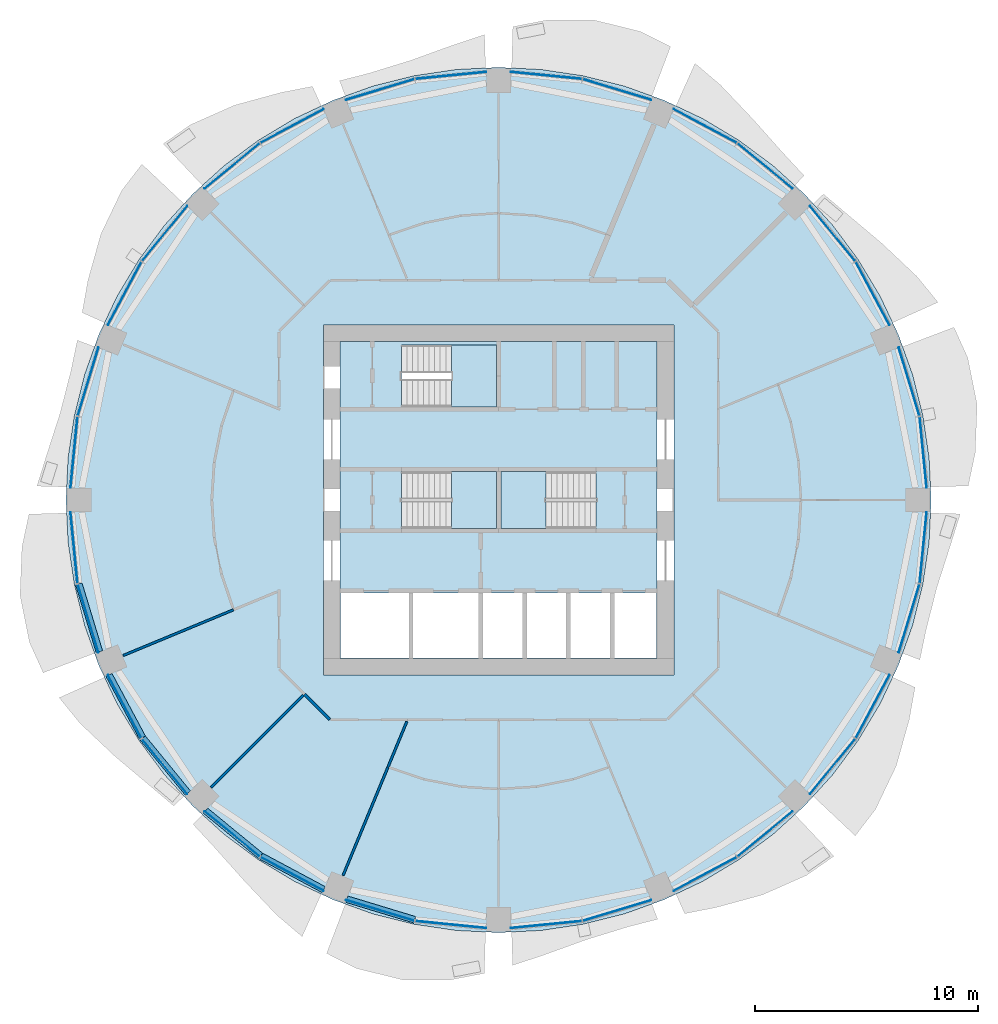
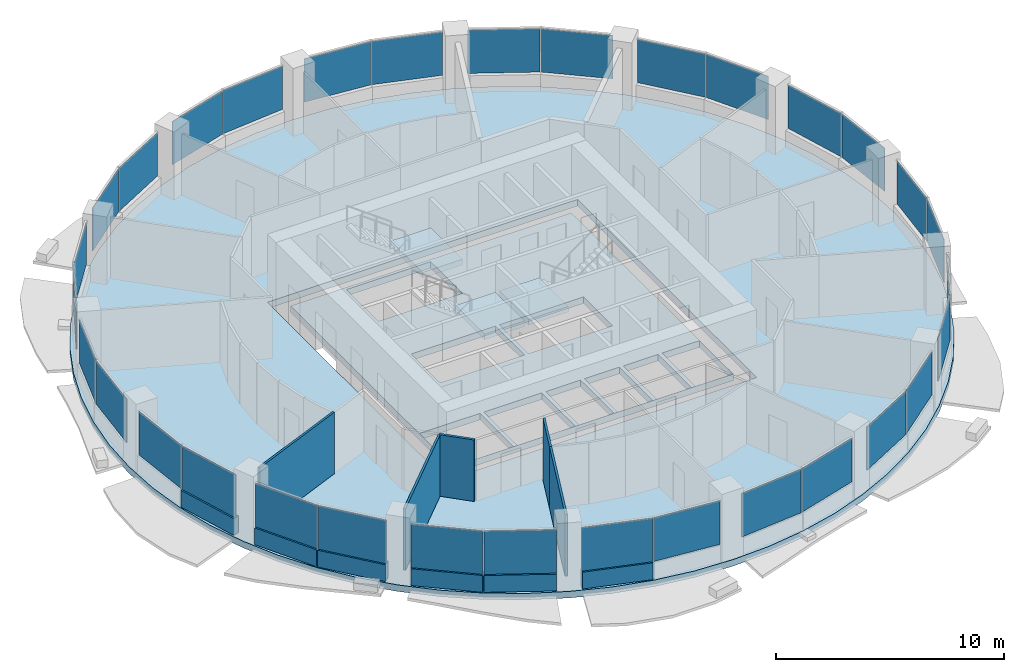
# One storey, part 7 of 15: 32 plates, 11 walls, 5 slabs, 19 elements without a shape of their own.
"""IFC4 building model written with IfcOpenShell, lengths in metres."""

from ifc_helpers import new_model, si_unit, direction, frame, frame_2d, origin, origin_2d, place, context, subcontext, project, spatial, polyline, rectangle, outline, extrude, material, layer, layer_set, type_object, element, aggregate, save


model = new_model("IFC4")

# Units and contexts
model_context = context("Model", 3, precision=1e-05, world=origin(), true_north=direction((0.0, 1.0)))
body_context = subcontext(model_context, "Body", "Model", "MODEL_VIEW")
ifc_project = project(units=[si_unit("LENGTHUNIT", "METRE"), si_unit("AREAUNIT", "SQUARE_METRE"), si_unit("VOLUMEUNIT", "CUBIC_METRE"), si_unit("PLANEANGLEUNIT", "RADIAN"), si_unit("MASSUNIT", "GRAM", prefix="KILO")], contexts=[model_context])

# Site, building, storey
site_placement = place(None, origin())
site = spatial("IfcSite", under=ifc_project, at=site_placement, CompositionType="ELEMENT")
building_placement = place(site_placement, origin())
building = spatial("IfcBuilding", under=site, at=building_placement, Name="Polderwave Tower", CompositionType="ELEMENT")
storey_placement = place(building_placement, frame((0.0, 0.0, 72.75)))
storey = spatial("IfcBuildingStorey", under=building, at=storey_placement, Name="L18", CompositionType="ELEMENT", Elevation=72.75)

# Slab
ifc_material_1 = material(Name="Concrete C40/50", Category="concrete")
ifc_layer_1 = layer(ifc_material_1, 0.35009765625)
ifc_layer_set_1 = layer_set([ifc_layer_1], Name="Core floor slab 350")
slab_type_1 = type_object("IfcSlabType", Name="Core floor slab 350", PredefinedType="FLOOR", material=ifc_layer_set_1)
slab_1_placement = place(storey_placement, frame((0.0, 0.0, -0.35009765625)))
element("IfcSlab", 1, at=slab_1_placement, inside=storey, type_object=slab_type_1, Name="L18 core floor", PredefinedType="FLOOR", context=body_context, shape_type="SweptSolid", body=[
    extrude(outline(polyline([(-7.1240234375, -7.1240234375), (7.1240234375, -7.1240234375), (7.1240234375, 7.1240234375), (-7.1240234375, 7.1240234375), (-7.1240234375, -7.1240234375)]), holes=[polyline([(-7.10400390625, -7.10400390625), (-4.037109375, -7.10400390625), (-4.037109375, -4.174072265625), (-7.10400390625, -4.174072265625), (-7.10400390625, -7.10400390625)]), polyline([(-3.8369140625, -7.10400390625), (-0.89990234375, -7.10400390625), (-0.89990234375, -4.174072265625), (-3.8369140625, -4.174072265625), (-3.8369140625, -7.10400390625)]), polyline([(-0.699951171875, -7.10400390625), (1.068603515625, -7.10400390625), (1.068603515625, -4.174072265625), (-0.699951171875, -4.174072265625), (-0.699951171875, -7.10400390625)]), polyline([(1.2685546875, -7.10400390625), (3.037109375, -7.10400390625), (3.037109375, -4.174072265625), (1.2685546875, -4.174072265625), (1.2685546875, -7.10400390625)]), polyline([(3.237060546875, -7.10400390625), (5.005615234375, -7.10400390625), (5.005615234375, -4.174072265625), (3.237060546875, -4.174072265625), (3.237060546875, -7.10400390625)]), polyline([(5.20556640625, -7.10400390625), (7.10400390625, -7.10400390625), (7.10400390625, -4.174072265625), (5.20556640625, -4.174072265625), (5.20556640625, -7.10400390625)]), polyline([(-4.37353515625, -1.2744140625), (-0.1005859375, -1.2744140625), (-0.1005859375, 1.2744140625), (-4.37353515625, 1.2744140625), (-4.37353515625, -1.2744140625)]), polyline([(0.1005859375, -1.2744140625), (4.37353515625, -1.2744140625), (4.37353515625, 1.2744140625), (0.1005859375, 1.2744140625), (0.1005859375, -1.2744140625)]), polyline([(-4.37353515625, 4.174560546875), (-0.1005859375, 4.174560546875), (-0.1005859375, 6.973388671875), (-4.37353515625, 6.973388671875), (-4.37353515625, 4.174560546875)])]), origin(), (0.0, 0.0, 1.0), 0.35009765625),
])

# Curtain wall, plates
ifc_material_2 = material(Name="Aluminium 6063-T6 and glass", Category="aluminium")
curtain_wall_type = type_object("IfcCurtainWallType", Name="Growing floor ribbon glazing wall", PredefinedType="NOTDEFINED", material=ifc_material_2)
curtain_wall_1_placement = place(storey_placement, origin())
curtain_wall_1 = element("IfcCurtainWall", 2, at=curtain_wall_1_placement, inside=storey, type_object=curtain_wall_type, Name="CW2 L18 00", PredefinedType="NOTDEFINED")
ifc_material_3 = material(Name="Glass, low-e laminated double glazing", Category="glass")
ifc_layer_2 = layer(ifc_material_3, 0.028076171875)
ifc_layer_set_2 = layer_set([ifc_layer_2], Name="Growing floor ribbon glazing glass panel 28 mm")
plate_type = type_object("IfcPlateType", Name="Growing floor ribbon glazing glass panel 28 mm", PredefinedType="CURTAIN_PANEL", material=ifc_layer_set_2)
plate_1_placement = place(storey_placement, frame((19.0791015625, 2.1416015625, 0.89990234375), z_axis=(0.0, 0.0, 1.0), x_axis=(-0.098185620651, 0.995168118409, 0.0)))
plate_1 = element("IfcPlate", 3, at=plate_1_placement, type_object=plate_type, Name="CW2 panel 1", PredefinedType="CURTAIN_PANEL", context=body_context, shape_type="SweptSolid", body=[
    extrude(rectangle(XDim=3.198486328125, YDim=0.028076171875, at=origin_2d()), origin(), (0.0, 0.0, 1.0), 2.320068359375),
])
plate_2_placement = place(storey_placement, frame((18.446044921875, 5.322509765625, 0.89990234375), z_axis=(0.0, 0.0, 1.0), x_axis=(-0.290187805562, 0.956969716085, 0.0)))
plate_2 = element("IfcPlate", 4, at=plate_2_placement, type_object=plate_type, Name="CW2 panel 2", PredefinedType="CURTAIN_PANEL", context=body_context, shape_type="SweptSolid", body=[
    extrude(rectangle(XDim=3.198974609375, YDim=0.028076171875, at=origin_2d()), origin(), (0.0, 0.0, 1.0), 2.320068359375),
])
aggregate(curtain_wall_1, [plate_1, plate_2])

curtain_wall_2_placement = place(storey_placement, origin())
curtain_wall_2 = element("IfcCurtainWall", 5, at=curtain_wall_2_placement, inside=storey, type_object=curtain_wall_type, Name="CW2 L18 01", PredefinedType="NOTDEFINED")
plate_3_placement = place(storey_placement, frame((16.80712890625, 9.27978515625, 0.89990234375), z_axis=(0.0, 0.0, 1.0), x_axis=(-0.471327469438, 0.881958285041, 0.0)))
plate_3 = element("IfcPlate", 6, at=plate_3_placement, type_object=plate_type, Name="CW2 panel 1", PredefinedType="CURTAIN_PANEL", context=body_context, shape_type="SweptSolid", body=[
    extrude(rectangle(XDim=3.19921875, YDim=0.028076171875, at=origin_2d()), origin(), (0.0, 0.0, 1.0), 2.320068359375),
])
plate_4_placement = place(storey_placement, frame((15.005615234375, 11.9765625, 0.89990234375), z_axis=(0.0, 0.0, 1.0), x_axis=(-0.634316379032, 0.773073561371, 0.0)))
plate_4 = element("IfcPlate", 7, at=plate_4_placement, type_object=plate_type, Name="CW2 panel 2", PredefinedType="CURTAIN_PANEL", context=body_context, shape_type="SweptSolid", body=[
    extrude(rectangle(XDim=3.19873046875, YDim=0.028076171875, at=origin_2d()), origin(), (0.0, 0.0, 1.0), 2.320068359375),
])
aggregate(curtain_wall_2, [plate_3, plate_4])

curtain_wall_3_placement = place(storey_placement, origin())
curtain_wall_3 = element("IfcCurtainWall", 8, at=curtain_wall_3_placement, inside=storey, type_object=curtain_wall_type, Name="CW2 L18 02", PredefinedType="NOTDEFINED")
plate_5_placement = place(storey_placement, frame((11.9765625, 15.005615234375, 0.89990234375), z_axis=(0.0, 0.0, 1.0), x_axis=(-0.773073561371, 0.634316379032, 0.0)))
plate_5 = element("IfcPlate", 9, at=plate_5_placement, type_object=plate_type, Name="CW2 panel 1", PredefinedType="CURTAIN_PANEL", context=body_context, shape_type="SweptSolid", body=[
    extrude(rectangle(XDim=3.19873046875, YDim=0.028076171875, at=origin_2d()), origin(), (0.0, 0.0, 1.0), 2.320068359375),
])
plate_6_placement = place(storey_placement, frame((9.27978515625, 16.80712890625, 0.89990234375), z_axis=(0.0, 0.0, 1.0), x_axis=(-0.881958285041, 0.471327469438, 0.0)))
plate_6 = element("IfcPlate", 10, at=plate_6_placement, type_object=plate_type, Name="CW2 panel 2", PredefinedType="CURTAIN_PANEL", context=body_context, shape_type="SweptSolid", body=[
    extrude(rectangle(XDim=3.19921875, YDim=0.028076171875, at=origin_2d()), origin(), (0.0, 0.0, 1.0), 2.320068359375),
])
aggregate(curtain_wall_3, [plate_5, plate_6])

curtain_wall_4_placement = place(storey_placement, origin())
curtain_wall_4 = element("IfcCurtainWall", 11, at=curtain_wall_4_placement, inside=storey, type_object=curtain_wall_type, Name="CW2 L18 03", PredefinedType="NOTDEFINED")
plate_7_placement = place(storey_placement, frame((5.322509765625, 18.446044921875, 0.89990234375), z_axis=(0.0, 0.0, 1.0), x_axis=(-0.956969716085, 0.290187805562, 0.0)))
plate_7 = element("IfcPlate", 12, at=plate_7_placement, type_object=plate_type, Name="CW2 panel 1", PredefinedType="CURTAIN_PANEL", context=body_context, shape_type="SweptSolid", body=[
    extrude(rectangle(XDim=3.198974609375, YDim=0.028076171875, at=origin_2d()), origin(), (0.0, 0.0, 1.0), 2.320068359375),
])
plate_8_placement = place(storey_placement, frame((2.1416015625, 19.0791015625, 0.89990234375), z_axis=(0.0, 0.0, 1.0), x_axis=(-0.995168118409, 0.098185620651, 0.0)))
plate_8 = element("IfcPlate", 13, at=plate_8_placement, type_object=plate_type, Name="CW2 panel 2", PredefinedType="CURTAIN_PANEL", context=body_context, shape_type="SweptSolid", body=[
    extrude(rectangle(XDim=3.198486328125, YDim=0.028076171875, at=origin_2d()), origin(), (0.0, 0.0, 1.0), 2.320068359375),
])
aggregate(curtain_wall_4, [plate_7, plate_8])

curtain_wall_5_placement = place(storey_placement, origin())
curtain_wall_5 = element("IfcCurtainWall", 14, at=curtain_wall_5_placement, inside=storey, type_object=curtain_wall_type, Name="CW2 L18 04", PredefinedType="NOTDEFINED")
plate_9_placement = place(storey_placement, frame((-2.1416015625, 19.0791015625, 0.89990234375), z_axis=(0.0, 0.0, 1.0), x_axis=(-0.995168118409, -0.098185620651, 0.0)))
plate_9 = element("IfcPlate", 15, at=plate_9_placement, type_object=plate_type, Name="CW2 panel 1", PredefinedType="CURTAIN_PANEL", context=body_context, shape_type="SweptSolid", body=[
    extrude(rectangle(XDim=3.198486328125, YDim=0.028076171875, at=origin_2d()), origin(), (0.0, 0.0, 1.0), 2.320068359375),
])
plate_10_placement = place(storey_placement, frame((-5.322509765625, 18.446044921875, 0.89990234375), z_axis=(0.0, 0.0, 1.0), x_axis=(-0.956969716085, -0.290187805562, 0.0)))
plate_10 = element("IfcPlate", 16, at=plate_10_placement, type_object=plate_type, Name="CW2 panel 2", PredefinedType="CURTAIN_PANEL", context=body_context, shape_type="SweptSolid", body=[
    extrude(rectangle(XDim=3.198974609375, YDim=0.028076171875, at=origin_2d()), origin(), (0.0, 0.0, 1.0), 2.320068359375),
])
aggregate(curtain_wall_5, [plate_9, plate_10])

curtain_wall_6_placement = place(storey_placement, origin())
curtain_wall_6 = element("IfcCurtainWall", 17, at=curtain_wall_6_placement, inside=storey, type_object=curtain_wall_type, Name="CW2 L18 05", PredefinedType="NOTDEFINED")
plate_11_placement = place(storey_placement, frame((-9.27978515625, 16.80712890625, 0.89990234375), z_axis=(0.0, 0.0, 1.0), x_axis=(-0.881958285041, -0.471327469438, 0.0)))
plate_11 = element("IfcPlate", 18, at=plate_11_placement, type_object=plate_type, Name="CW2 panel 1", PredefinedType="CURTAIN_PANEL", context=body_context, shape_type="SweptSolid", body=[
    extrude(rectangle(XDim=3.19921875, YDim=0.028076171875, at=origin_2d()), origin(), (0.0, 0.0, 1.0), 2.320068359375),
])
plate_12_placement = place(storey_placement, frame((-11.9765625, 15.005615234375, 0.89990234375), z_axis=(0.0, 0.0, 1.0), x_axis=(-0.773073561371, -0.634316379032, 0.0)))
plate_12 = element("IfcPlate", 19, at=plate_12_placement, type_object=plate_type, Name="CW2 panel 2", PredefinedType="CURTAIN_PANEL", context=body_context, shape_type="SweptSolid", body=[
    extrude(rectangle(XDim=3.19873046875, YDim=0.028076171875, at=origin_2d()), origin(), (0.0, 0.0, 1.0), 2.320068359375),
])
aggregate(curtain_wall_6, [plate_11, plate_12])

curtain_wall_7_placement = place(storey_placement, origin())
curtain_wall_7 = element("IfcCurtainWall", 20, at=curtain_wall_7_placement, inside=storey, type_object=curtain_wall_type, Name="CW2 L18 06", PredefinedType="NOTDEFINED")
plate_13_placement = place(storey_placement, frame((-15.005615234375, 11.9765625, 0.89990234375), z_axis=(0.0, 0.0, 1.0), x_axis=(-0.634316379032, -0.773073561371, 0.0)))
plate_13 = element("IfcPlate", 21, at=plate_13_placement, type_object=plate_type, Name="CW2 panel 1", PredefinedType="CURTAIN_PANEL", context=body_context, shape_type="SweptSolid", body=[
    extrude(rectangle(XDim=3.19873046875, YDim=0.028076171875, at=origin_2d()), origin(), (0.0, 0.0, 1.0), 2.320068359375),
])
plate_14_placement = place(storey_placement, frame((-16.80712890625, 9.27978515625, 0.89990234375), z_axis=(0.0, 0.0, 1.0), x_axis=(-0.471327469438, -0.881958285041, 0.0)))
plate_14 = element("IfcPlate", 22, at=plate_14_placement, type_object=plate_type, Name="CW2 panel 2", PredefinedType="CURTAIN_PANEL", context=body_context, shape_type="SweptSolid", body=[
    extrude(rectangle(XDim=3.19921875, YDim=0.028076171875, at=origin_2d()), origin(), (0.0, 0.0, 1.0), 2.320068359375),
])
aggregate(curtain_wall_7, [plate_13, plate_14])

curtain_wall_8_placement = place(storey_placement, origin())
curtain_wall_8 = element("IfcCurtainWall", 23, at=curtain_wall_8_placement, inside=storey, type_object=curtain_wall_type, Name="CW2 L18 07", PredefinedType="NOTDEFINED")
plate_15_placement = place(storey_placement, frame((-18.446044921875, 5.322509765625, 0.89990234375), z_axis=(0.0, 0.0, 1.0), x_axis=(-0.290187805562, -0.956969716085, 0.0)))
plate_15 = element("IfcPlate", 24, at=plate_15_placement, type_object=plate_type, Name="CW2 panel 1", PredefinedType="CURTAIN_PANEL", context=body_context, shape_type="SweptSolid", body=[
    extrude(rectangle(XDim=3.198974609375, YDim=0.028076171875, at=origin_2d()), origin(), (0.0, 0.0, 1.0), 2.320068359375),
])
plate_16_placement = place(storey_placement, frame((-19.0791015625, 2.1416015625, 0.89990234375), z_axis=(0.0, 0.0, 1.0), x_axis=(-0.098185620651, -0.995168118409, 0.0)))
plate_16 = element("IfcPlate", 25, at=plate_16_placement, type_object=plate_type, Name="CW2 panel 2", PredefinedType="CURTAIN_PANEL", context=body_context, shape_type="SweptSolid", body=[
    extrude(rectangle(XDim=3.198486328125, YDim=0.028076171875, at=origin_2d()), origin(), (0.0, 0.0, 1.0), 2.320068359375),
])
aggregate(curtain_wall_8, [plate_15, plate_16])

curtain_wall_9_placement = place(storey_placement, origin())
curtain_wall_9 = element("IfcCurtainWall", 26, at=curtain_wall_9_placement, inside=storey, type_object=curtain_wall_type, Name="CW2 L18 08", PredefinedType="NOTDEFINED")
plate_17_placement = place(storey_placement, frame((-19.0791015625, -2.1416015625, 0.89990234375), z_axis=(0.0, 0.0, 1.0), x_axis=(0.098185620651, -0.995168118409, 0.0)))
plate_17 = element("IfcPlate", 27, at=plate_17_placement, type_object=plate_type, Name="CW2 panel 1", PredefinedType="CURTAIN_PANEL", context=body_context, shape_type="SweptSolid", body=[
    extrude(rectangle(XDim=3.198486328125, YDim=0.028076171875, at=origin_2d()), origin(), (0.0, 0.0, 1.0), 2.320068359375),
])
plate_18_placement = place(storey_placement, frame((-18.446044921875, -5.322509765625, 0.89990234375), z_axis=(0.0, 0.0, 1.0), x_axis=(0.290187805562, -0.956969716085, 0.0)))
plate_18 = element("IfcPlate", 28, at=plate_18_placement, type_object=plate_type, Name="CW2 panel 2", PredefinedType="CURTAIN_PANEL", context=body_context, shape_type="SweptSolid", body=[
    extrude(rectangle(XDim=3.198974609375, YDim=0.028076171875, at=origin_2d()), origin(), (0.0, 0.0, 1.0), 2.320068359375),
])
aggregate(curtain_wall_9, [plate_17, plate_18])

curtain_wall_10_placement = place(storey_placement, origin())
curtain_wall_10 = element("IfcCurtainWall", 29, at=curtain_wall_10_placement, inside=storey, type_object=curtain_wall_type, Name="CW2 L18 09", PredefinedType="NOTDEFINED")
plate_19_placement = place(storey_placement, frame((-16.80712890625, -9.27978515625, 0.89990234375), z_axis=(0.0, 0.0, 1.0), x_axis=(0.471327469438, -0.881958285041, 0.0)))
plate_19 = element("IfcPlate", 30, at=plate_19_placement, type_object=plate_type, Name="CW2 panel 1", PredefinedType="CURTAIN_PANEL", context=body_context, shape_type="SweptSolid", body=[
    extrude(rectangle(XDim=3.19921875, YDim=0.028076171875, at=origin_2d()), origin(), (0.0, 0.0, 1.0), 2.320068359375),
])
plate_20_placement = place(storey_placement, frame((-15.005615234375, -11.9765625, 0.89990234375), z_axis=(0.0, 0.0, 1.0), x_axis=(0.634316379032, -0.773073561371, 0.0)))
plate_20 = element("IfcPlate", 31, at=plate_20_placement, type_object=plate_type, Name="CW2 panel 2", PredefinedType="CURTAIN_PANEL", context=body_context, shape_type="SweptSolid", body=[
    extrude(rectangle(XDim=3.19873046875, YDim=0.028076171875, at=origin_2d()), origin(), (0.0, 0.0, 1.0), 2.320068359375),
])
aggregate(curtain_wall_10, [plate_19, plate_20])

curtain_wall_11_placement = place(storey_placement, origin())
curtain_wall_11 = element("IfcCurtainWall", 32, at=curtain_wall_11_placement, inside=storey, type_object=curtain_wall_type, Name="CW2 L18 10", PredefinedType="NOTDEFINED")
plate_21_placement = place(storey_placement, frame((-11.9765625, -15.005615234375, 0.89990234375), z_axis=(0.0, 0.0, 1.0), x_axis=(0.773073561371, -0.634316379032, 0.0)))
plate_21 = element("IfcPlate", 33, at=plate_21_placement, type_object=plate_type, Name="CW2 panel 1", PredefinedType="CURTAIN_PANEL", context=body_context, shape_type="SweptSolid", body=[
    extrude(rectangle(XDim=3.19873046875, YDim=0.028076171875, at=origin_2d()), origin(), (0.0, 0.0, 1.0), 2.320068359375),
])
plate_22_placement = place(storey_placement, frame((-9.27978515625, -16.80712890625, 0.89990234375), z_axis=(0.0, 0.0, 1.0), x_axis=(0.881958285041, -0.471327469438, 0.0)))
plate_22 = element("IfcPlate", 34, at=plate_22_placement, type_object=plate_type, Name="CW2 panel 2", PredefinedType="CURTAIN_PANEL", context=body_context, shape_type="SweptSolid", body=[
    extrude(rectangle(XDim=3.19921875, YDim=0.028076171875, at=origin_2d()), origin(), (0.0, 0.0, 1.0), 2.320068359375),
])
aggregate(curtain_wall_11, [plate_21, plate_22])

curtain_wall_12_placement = place(storey_placement, origin())
curtain_wall_12 = element("IfcCurtainWall", 35, at=curtain_wall_12_placement, inside=storey, type_object=curtain_wall_type, Name="CW2 L18 11", PredefinedType="NOTDEFINED")
plate_23_placement = place(storey_placement, frame((-5.322509765625, -18.446044921875, 0.89990234375), z_axis=(0.0, 0.0, 1.0), x_axis=(0.956969716085, -0.290187805562, 0.0)))
plate_23 = element("IfcPlate", 36, at=plate_23_placement, type_object=plate_type, Name="CW2 panel 1", PredefinedType="CURTAIN_PANEL", context=body_context, shape_type="SweptSolid", body=[
    extrude(rectangle(XDim=3.198974609375, YDim=0.028076171875, at=origin_2d()), origin(), (0.0, 0.0, 1.0), 2.320068359375),
])
plate_24_placement = place(storey_placement, frame((-2.1416015625, -19.0791015625, 0.89990234375), z_axis=(0.0, 0.0, 1.0), x_axis=(0.995168118409, -0.098185620651, 0.0)))
plate_24 = element("IfcPlate", 37, at=plate_24_placement, type_object=plate_type, Name="CW2 panel 2", PredefinedType="CURTAIN_PANEL", context=body_context, shape_type="SweptSolid", body=[
    extrude(rectangle(XDim=3.198486328125, YDim=0.028076171875, at=origin_2d()), origin(), (0.0, 0.0, 1.0), 2.320068359375),
])
aggregate(curtain_wall_12, [plate_23, plate_24])

curtain_wall_13_placement = place(storey_placement, origin())
curtain_wall_13 = element("IfcCurtainWall", 38, at=curtain_wall_13_placement, inside=storey, type_object=curtain_wall_type, Name="CW2 L18 12", PredefinedType="NOTDEFINED")
plate_25_placement = place(storey_placement, frame((2.1416015625, -19.0791015625, 0.89990234375), z_axis=(0.0, 0.0, 1.0), x_axis=(0.995168118409, 0.098185620651, 0.0)))
plate_25 = element("IfcPlate", 39, at=plate_25_placement, type_object=plate_type, Name="CW2 panel 1", PredefinedType="CURTAIN_PANEL", context=body_context, shape_type="SweptSolid", body=[
    extrude(rectangle(XDim=3.198486328125, YDim=0.028076171875, at=origin_2d()), origin(), (0.0, 0.0, 1.0), 2.320068359375),
])
plate_26_placement = place(storey_placement, frame((5.322509765625, -18.446044921875, 0.89990234375), z_axis=(0.0, 0.0, 1.0), x_axis=(0.956969716085, 0.290187805562, 0.0)))
plate_26 = element("IfcPlate", 40, at=plate_26_placement, type_object=plate_type, Name="CW2 panel 2", PredefinedType="CURTAIN_PANEL", context=body_context, shape_type="SweptSolid", body=[
    extrude(rectangle(XDim=3.198974609375, YDim=0.028076171875, at=origin_2d()), origin(), (0.0, 0.0, 1.0), 2.320068359375),
])
aggregate(curtain_wall_13, [plate_25, plate_26])

curtain_wall_14_placement = place(storey_placement, origin())
curtain_wall_14 = element("IfcCurtainWall", 41, at=curtain_wall_14_placement, inside=storey, type_object=curtain_wall_type, Name="CW2 L18 13", PredefinedType="NOTDEFINED")
plate_27_placement = place(storey_placement, frame((9.27978515625, -16.80712890625, 0.89990234375), z_axis=(0.0, 0.0, 1.0), x_axis=(0.881958285041, 0.471327469438, 0.0)))
plate_27 = element("IfcPlate", 42, at=plate_27_placement, type_object=plate_type, Name="CW2 panel 1", PredefinedType="CURTAIN_PANEL", context=body_context, shape_type="SweptSolid", body=[
    extrude(rectangle(XDim=3.19921875, YDim=0.028076171875, at=origin_2d()), origin(), (0.0, 0.0, 1.0), 2.320068359375),
])
plate_28_placement = place(storey_placement, frame((11.9765625, -15.005615234375, 0.89990234375), z_axis=(0.0, 0.0, 1.0), x_axis=(0.773073561371, 0.634316379032, 0.0)))
plate_28 = element("IfcPlate", 43, at=plate_28_placement, type_object=plate_type, Name="CW2 panel 2", PredefinedType="CURTAIN_PANEL", context=body_context, shape_type="SweptSolid", body=[
    extrude(rectangle(XDim=3.19873046875, YDim=0.028076171875, at=origin_2d()), origin(), (0.0, 0.0, 1.0), 2.320068359375),
])
aggregate(curtain_wall_14, [plate_27, plate_28])

curtain_wall_15_placement = place(storey_placement, origin())
curtain_wall_15 = element("IfcCurtainWall", 44, at=curtain_wall_15_placement, inside=storey, type_object=curtain_wall_type, Name="CW2 L18 14", PredefinedType="NOTDEFINED")
plate_29_placement = place(storey_placement, frame((15.005615234375, -11.9765625, 0.89990234375), z_axis=(0.0, 0.0, 1.0), x_axis=(0.634316379032, 0.773073561371, 0.0)))
plate_29 = element("IfcPlate", 45, at=plate_29_placement, type_object=plate_type, Name="CW2 panel 1", PredefinedType="CURTAIN_PANEL", context=body_context, shape_type="SweptSolid", body=[
    extrude(rectangle(XDim=3.19873046875, YDim=0.028076171875, at=origin_2d()), origin(), (0.0, 0.0, 1.0), 2.320068359375),
])
plate_30_placement = place(storey_placement, frame((16.80712890625, -9.27978515625, 0.89990234375), z_axis=(0.0, 0.0, 1.0), x_axis=(0.471327469438, 0.881958285041, 0.0)))
plate_30 = element("IfcPlate", 46, at=plate_30_placement, type_object=plate_type, Name="CW2 panel 2", PredefinedType="CURTAIN_PANEL", context=body_context, shape_type="SweptSolid", body=[
    extrude(rectangle(XDim=3.19921875, YDim=0.028076171875, at=origin_2d()), origin(), (0.0, 0.0, 1.0), 2.320068359375),
])
aggregate(curtain_wall_15, [plate_29, plate_30])

curtain_wall_16_placement = place(storey_placement, origin())
curtain_wall_16 = element("IfcCurtainWall", 47, at=curtain_wall_16_placement, inside=storey, type_object=curtain_wall_type, Name="CW2 L18 15", PredefinedType="NOTDEFINED")
plate_31_placement = place(storey_placement, frame((18.446044921875, -5.322509765625, 0.89990234375), z_axis=(0.0, 0.0, 1.0), x_axis=(0.290187805562, 0.956969716085, 0.0)))
plate_31 = element("IfcPlate", 48, at=plate_31_placement, type_object=plate_type, Name="CW2 panel 1", PredefinedType="CURTAIN_PANEL", context=body_context, shape_type="SweptSolid", body=[
    extrude(rectangle(XDim=3.198974609375, YDim=0.028076171875, at=origin_2d()), origin(), (0.0, 0.0, 1.0), 2.320068359375),
])
plate_32_placement = place(storey_placement, frame((19.0791015625, -2.1416015625, 0.89990234375), z_axis=(0.0, 0.0, 1.0), x_axis=(0.098185620651, 0.995168118409, 0.0)))
plate_32 = element("IfcPlate", 49, at=plate_32_placement, type_object=plate_type, Name="CW2 panel 2", PredefinedType="CURTAIN_PANEL", context=body_context, shape_type="SweptSolid", body=[
    extrude(rectangle(XDim=3.198486328125, YDim=0.028076171875, at=origin_2d()), origin(), (0.0, 0.0, 1.0), 2.320068359375),
])
aggregate(curtain_wall_16, [plate_31, plate_32])

# Slab
ifc_layer_3 = layer(ifc_material_1, 0.35009765625)
ifc_layer_set_3 = layer_set([ifc_layer_3], Name="PT FLOOR SLAB 350 C40/50")
slab_type_2 = type_object("IfcSlabType", Name="PT FLOOR SLAB 350 C40/50", PredefinedType="FLOOR", material=ifc_layer_set_3)
slab_2_placement = place(storey_placement, frame((0.0, 0.0, -0.35009765625)))
element("IfcSlab", 50, at=slab_2_placement, inside=storey, type_object=slab_type_2, Name="ST-SLAB-L18", PredefinedType="FLOOR", context=body_context, shape_type="SweptSolid", body=[
    extrude(outline(polyline([(19.43994140625, 0.0), (19.346435546875, 1.905517578125), (19.06640625, 3.79248046875), (18.602783203125, 5.64306640625), (17.960205078125, 7.439453125), (17.14453125, 9.1640625), (16.163818359375, 10.80029296875), (15.02734375, 12.33251953125), (13.74609375, 13.74609375), (12.33251953125, 15.02734375), (10.80029296875, 16.163818359375), (9.1640625, 17.14453125), (7.439453125, 17.960205078125), (5.64306640625, 18.602783203125), (3.79248046875, 19.06640625), (1.905517578125, 19.346435546875), (0.0, 19.43994140625), (-1.905517578125, 19.346435546875), (-3.79248046875, 19.06640625), (-5.64306640625, 18.602783203125), (-7.439453125, 17.960205078125), (-9.1640625, 17.14453125), (-10.80029296875, 16.163818359375), (-12.33251953125, 15.02734375), (-13.74609375, 13.74609375), (-15.02734375, 12.33251953125), (-16.163818359375, 10.80029296875), (-17.14453125, 9.1640625), (-17.960205078125, 7.439453125), (-18.602783203125, 5.64306640625), (-19.06640625, 3.79248046875), (-19.346435546875, 1.905517578125), (-19.43994140625, 0.0), (-19.346435546875, -1.905517578125), (-19.06640625, -3.79248046875), (-18.602783203125, -5.64306640625), (-17.960205078125, -7.439453125), (-17.14453125, -9.1640625), (-16.163818359375, -10.80029296875), (-15.02734375, -12.33251953125), (-13.74609375, -13.74609375), (-12.33251953125, -15.02734375), (-10.80029296875, -16.163818359375), (-9.1640625, -17.14453125), (-7.439453125, -17.960205078125), (-5.64306640625, -18.602783203125), (-3.79248046875, -19.06640625), (-1.905517578125, -19.346435546875), (0.0, -19.43994140625), (1.905517578125, -19.346435546875), (3.79248046875, -19.06640625), (5.64306640625, -18.602783203125), (7.439453125, -17.960205078125), (9.1640625, -17.14453125), (10.80029296875, -16.163818359375), (12.33251953125, -15.02734375), (13.74609375, -13.74609375), (15.02734375, -12.33251953125), (16.163818359375, -10.80029296875), (17.14453125, -9.1640625), (17.960205078125, -7.439453125), (18.602783203125, -5.64306640625), (19.06640625, -3.79248046875), (19.346435546875, -1.905517578125), (19.43994140625, 0.0)]), holes=[polyline([(-7.8740234375, -7.8740234375), (7.8740234375, -7.8740234375), (7.8740234375, 7.8740234375), (-7.8740234375, 7.8740234375), (-7.8740234375, -7.8740234375)])]), origin(), (0.0, 0.0, 1.0), 0.35009765625),
])

# Stair, slab
stair_type = type_object("IfcStairType", Name="Exit stair 1200 x 20 risers", PredefinedType="HALF_TURN_STAIR", material=ifc_material_1)
stair_1_placement = place(storey_placement, origin())
stair_1 = element("IfcStair", 51, at=stair_1_placement, inside=storey, type_object=stair_type, Name="L18 Exit stair A", PredefinedType="HALF_TURN_STAIR")
ifc_layer_4 = layer(ifc_material_1, 0.300048828125)
ifc_layer_set_4 = layer_set([ifc_layer_4], Name="Stair landing 300")
slab_type_3 = type_object("IfcSlabType", Name="Stair landing 300", PredefinedType="LANDING", material=ifc_layer_set_4)
slab_3_placement = place(storey_placement, frame((0.0, 0.0, 1.52490234375)))
slab_3 = element("IfcSlab", 52, at=slab_3_placement, type_object=slab_type_3, Name="ST-A landing 1", PredefinedType="LANDING", context=body_context, shape_type="SweptSolid", body=[
    extrude(outline(polyline([(-2.1240234375, -1.27490234375), (-0.10009765625, -1.27490234375), (-0.10009765625, 1.27490234375), (-2.1240234375, 1.27490234375), (-2.1240234375, -1.27490234375)])), origin(), (0.0, 0.0, 1.0), 0.300048828125),
])
aggregate(stair_1, [slab_3])

stair_2_placement = place(storey_placement, origin())
stair_2 = element("IfcStair", 53, at=stair_2_placement, inside=storey, type_object=stair_type, Name="L18 Exit stair B", PredefinedType="HALF_TURN_STAIR")
slab_4_placement = place(storey_placement, frame((0.0, 0.0, 1.52490234375)))
slab_4 = element("IfcSlab", 54, at=slab_4_placement, type_object=slab_type_3, Name="ST-B landing 1", PredefinedType="LANDING", context=body_context, shape_type="SweptSolid", body=[
    extrude(outline(polyline([(2.1240234375, 1.27490234375), (0.10009765625, 1.27490234375), (0.10009765625, -1.27490234375), (2.1240234375, -1.27490234375), (2.1240234375, 1.27490234375)])), origin(), (0.0, 0.0, 1.0), 0.300048828125),
])
aggregate(stair_2, [slab_4])

stair_3_placement = place(storey_placement, origin())
stair_3 = element("IfcStair", 55, at=stair_3_placement, inside=storey, type_object=stair_type, Name="L18 Exit stair C", PredefinedType="HALF_TURN_STAIR")
slab_5_placement = place(storey_placement, frame((0.0, 0.0, 1.52490234375)))
slab_5 = element("IfcSlab", 56, at=slab_5_placement, type_object=slab_type_3, Name="ST-C landing 1", PredefinedType="LANDING", context=body_context, shape_type="SweptSolid", body=[
    extrude(outline(polyline([(-2.1240234375, 4.174072265625), (-0.10009765625, 4.174072265625), (-0.10009765625, 6.97412109375), (-2.1240234375, 6.97412109375), (-2.1240234375, 4.174072265625)])), origin(), (0.0, 0.0, 1.0), 0.300048828125),
])
aggregate(stair_3, [slab_5])

# Walls
ifc_material_4 = material(Name="Concrete C50/60 (board-marked)", Category="concrete")
ifc_layer_5 = layer(ifc_material_4, 0.300048828125)
ifc_layer_set_5 = layer_set([ifc_layer_5], Name="Concrete spandrel upstand C50/60")
wall_type_1 = type_object("IfcWallType", Name="Concrete spandrel upstand C50/60", PredefinedType="SOLIDWALL", material=ifc_layer_set_5)
wall_1_placement = place(storey_placement, frame((-18.865478515625, -3.767333984375, 0.0), z_axis=(0.0, 0.0, 1.0), x_axis=(0.290238876314, -0.956954228099, 0.0)))
element("IfcWall", 57, at=wall_1_placement, inside=storey, type_object=wall_type_1, Name="Spandrel L18 9b", PredefinedType="SOLIDWALL", context=body_context, shape_type="SweptSolid", body=[
    extrude(rectangle(XDim=3.190673828125, YDim=0.300048828125, at=frame_2d((1.59521484375, 0.0))), origin(), (0.0, 0.0, 1.0), 0.89990234375),
])
for number, where, z_axis, x_axis, name in (
    (58, (-17.5078125, -7.8623046875, 0.0), (0.0, 0.0, 1.0), (0.471354692163, -0.8819437364, 0.0), "Spandrel L18 10a"),
    (59, (-15.987548828125, -10.70068359375, 0.0), (0.0, 0.0, 1.0), (0.63411253447, -0.773240773387, 0.0), "Spandrel L18 10b"),
    (60, (-13.16748046875, -13.964599609375, 0.0), (0.0, 0.0, 1.0), (0.773240773387, -0.63411253447, 0.0), "Spandrel L18 11a"),
    (61, (-10.67578125, -16.004150390625, 0.0), (0.0, 0.0, 1.0), (0.8819437364, -0.471354692163, 0.0), "Spandrel L18 11b"),
):
    element("IfcWall", number, at=place(storey_placement, frame(where, z_axis=z_axis, x_axis=x_axis)), inside=storey, type_object=wall_type_1, Name=name, PredefinedType="SOLIDWALL", context=body_context, shape_type="SweptSolid", body=[
        extrude(rectangle(XDim=3.190185546875, YDim=0.300048828125, at=frame_2d((1.59521484375, 0.0))), origin(), (0.0, 0.0, 1.0), 0.89990234375),
    ])
wall_2_placement = place(storey_placement, frame((-6.820556640625, -17.939453125, 0.0), z_axis=(0.0, 0.0, 1.0), x_axis=(0.956954228099, -0.290238876314, 0.0)))
element("IfcWall", 62, at=wall_2_placement, inside=storey, type_object=wall_type_1, Name="Spandrel L18 12a", PredefinedType="SOLIDWALL", context=body_context, shape_type="SweptSolid", body=[
    extrude(rectangle(XDim=3.190673828125, YDim=0.300048828125, at=frame_2d((1.59521484375, 0.0))), origin(), (0.0, 0.0, 1.0), 0.89990234375),
])
ifc_material_5 = material(Name="Fire-resisting board on steel studs", Category="steel")
ifc_layer_6 = layer(ifc_material_5, 0.125)
ifc_layer_set_6 = layer_set([ifc_layer_6], Name="Corridor wall 125 mm EI 60")
wall_type_2 = type_object("IfcWallType", Name="Corridor wall 125 mm EI 60", PredefinedType="PARTITIONING", material=ifc_layer_set_6)
wall_3_placement = place(storey_placement, frame((-7.58935546875, -9.855712890625, 0.0), z_axis=(0.0, 0.0, 1.0), x_axis=(-0.707030604857, 0.70718294931, 0.0)))
element("IfcWall", 63, at=wall_3_placement, inside=storey, type_object=wall_type_2, Name="IN-L18-W016", PredefinedType="PARTITIONING", context=body_context, shape_type="SweptSolid", body=[
    extrude(rectangle(XDim=1.6025390625, YDim=0.125, at=frame_2d((0.80126953125, 0.0))), origin(), (0.0, 0.0, 1.0), 3.300048828125),
])
ifc_material_6 = material(Name="Moisture-resistant board on steel studs, tiled", Category="steel")
ifc_layer_7 = layer(ifc_material_6, 0.10498046875)
ifc_layer_set_7 = layer_set([ifc_layer_7], Name="Partition 105 mm wet room board and tile")
wall_type_3 = type_object("IfcWallType", Name="Partition 105 mm wet room board and tile", PredefinedType="PARTITIONING", material=ifc_layer_set_7)
wall_4_placement = place(storey_placement, frame((-11.90869140625, -4.932861328125, 0.0), z_axis=(0.0, 0.0, 1.0), x_axis=(-0.923889947991, -0.382658286204, 0.0)))
element("IfcWall", 64, at=wall_4_placement, inside=storey, type_object=wall_type_3, Name="IN-L18-W052", PredefinedType="PARTITIONING", context=body_context, shape_type="SweptSolid", body=[
    extrude(rectangle(XDim=5.3701171875, YDim=0.10498046875, at=frame_2d((2.68505859375, 0.0))), origin(), (0.0, 0.0, 1.0), 3.300048828125),
])
wall_5_placement = place(storey_placement, frame((-12.911865234375, -12.911865234375, 0.0), z_axis=(0.0, 0.0, 1.0), x_axis=(0.707106781187, 0.707106781187, 0.0)))
element("IfcWall", 65, at=wall_5_placement, inside=storey, type_object=wall_type_3, Name="IN-L18-W053", PredefinedType="PARTITIONING", context=body_context, shape_type="SweptSolid", body=[
    extrude(rectangle(XDim=5.8623046875, YDim=0.10498046875, at=frame_2d((2.93115234375, 0.0))), origin(), (0.0, 0.0, 1.0), 3.300048828125),
])
wall_6_placement = place(storey_placement, frame((-4.1240234375, -9.95654296875, 0.0), z_axis=(0.0, 0.0, 1.0), x_axis=(-0.382679799248, -0.923881037389, 0.0)))
element("IfcWall", 66, at=wall_6_placement, inside=storey, type_object=wall_type_3, Name="IN-L18-W054", PredefinedType="PARTITIONING", context=body_context, shape_type="SweptSolid", body=[
    extrude(rectangle(XDim=2.213134765625, YDim=0.10498046875, at=frame_2d((1.1064453125, 0.0))), origin(), (0.0, 0.0, 1.0), 3.300048828125),
])
wall_7_placement = place(storey_placement, frame((-4.970947265625, -12.001220703125, 0.0), z_axis=(0.0, 0.0, 1.0), x_axis=(-0.382696833945, -0.923873981281, 0.0)))
element("IfcWall", 67, at=wall_7_placement, inside=storey, type_object=wall_type_3, Name="IN-L18-W055", PredefinedType="PARTITIONING", context=body_context, shape_type="SweptSolid", body=[
    extrude(rectangle(XDim=5.27001953125, YDim=0.10498046875, at=frame_2d((2.635009765625, 0.0))), origin(), (0.0, 0.0, 1.0), 3.300048828125),
])

save(model, "model.ifc")
